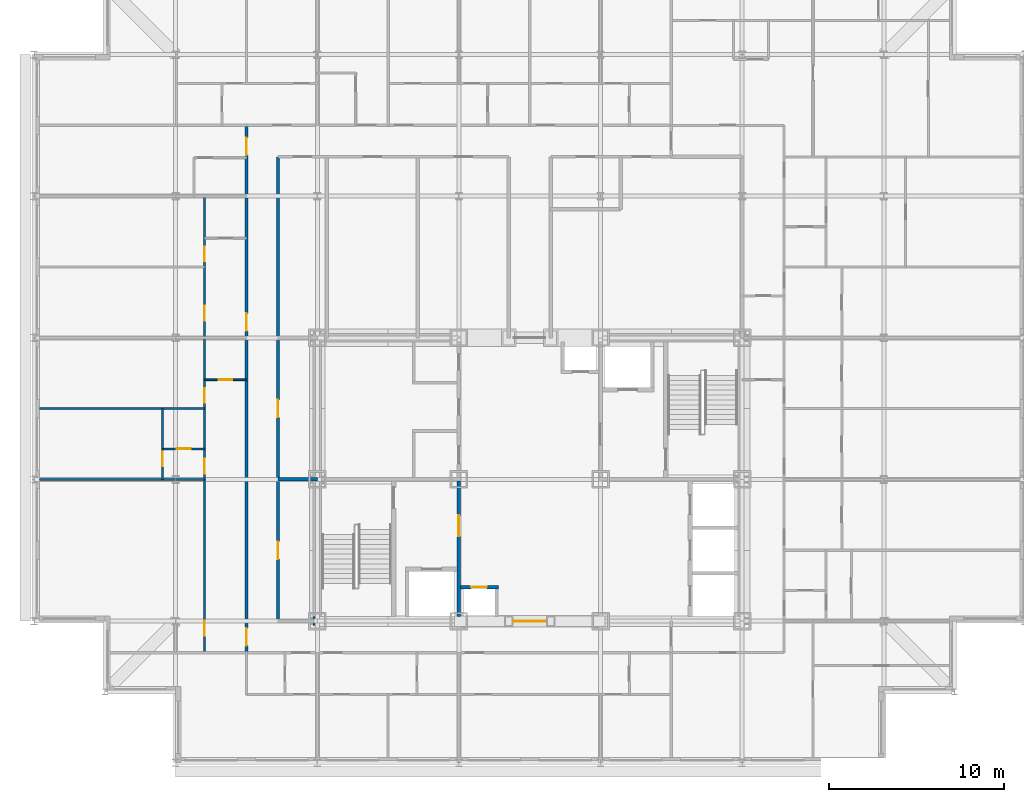
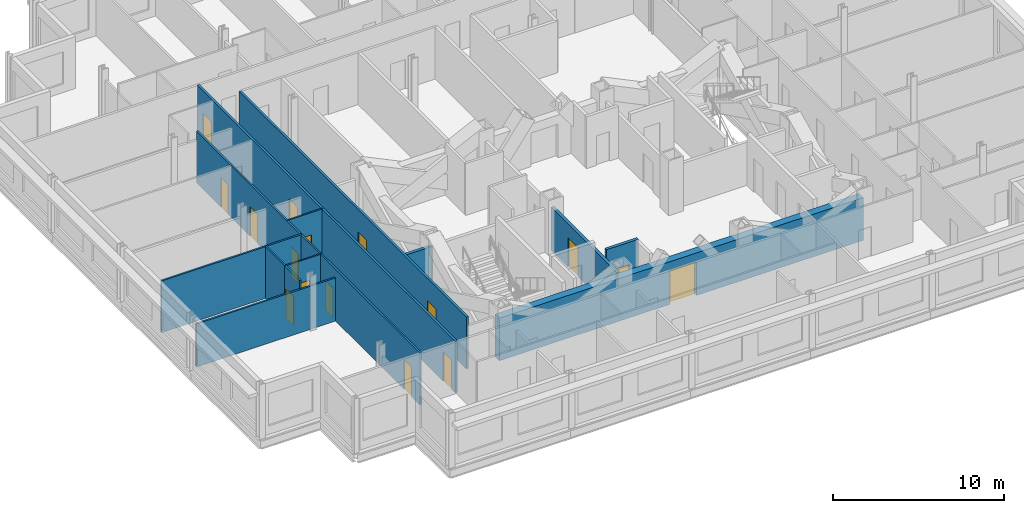
# One storey, part 8 of 15: 16 doors, 13 walls, 16 openings.
"""IFC4 building model written with IfcOpenShell, lengths in metres."""

from ifc_helpers import new_model, si_unit, direction, frame, frame_2d, origin, place, context, subcontext, project, spatial, rectangle, extrude, material, layer, layer_set, type_object, element, fill, save


model = new_model("IFC4")

# Units and contexts
model_context = context("Model", 3, precision=1e-05, world=origin(), true_north=direction((0.0, 1.0)))
body_context = subcontext(model_context, "Body", "Model", "MODEL_VIEW")
ifc_project = project(units=[si_unit("LENGTHUNIT", "METRE"), si_unit("AREAUNIT", "SQUARE_METRE"), si_unit("VOLUMEUNIT", "CUBIC_METRE"), si_unit("PLANEANGLEUNIT", "RADIAN"), si_unit("MASSUNIT", "GRAM", prefix="KILO")], contexts=[model_context])

# Site, building, storey
site_placement = place(None, origin())
site = spatial("IfcSite", under=ifc_project, at=site_placement, CompositionType="ELEMENT")
building_placement = place(site_placement, origin())
building = spatial("IfcBuilding", under=site, at=building_placement, Name="Kopane Lantern Tower", CompositionType="ELEMENT")
storey_placement = place(building_placement, frame((0.0, 0.0, 277.5)))
storey = spatial("IfcBuildingStorey", under=building, at=storey_placement, Name="L71", CompositionType="ELEMENT", Elevation=277.5)

# Wall, openings, doors
ifc_material_1 = material(Name="Gypsum board on steel studs", Category="steel")
ifc_layer_1 = layer(ifc_material_1, 0.1201171875)
ifc_layer_set_1 = layer_set([ifc_layer_1], Name="APARTMENT INTERNAL WALL 120")
wall_type_1 = type_object("IfcWallType", Name="APARTMENT INTERNAL WALL 120", PredefinedType="PARTITIONING", material=ifc_layer_set_1)
wall_1_placement = place(storey_placement, frame((9.75, 22.5, 0.0), z_axis=(0.0, 0.0, 1.0), x_axis=(0.0, 1.0, 0.0)))
wall_1 = element("IfcWall", 1, at=wall_1_placement, inside=storey, type_object=wall_type_1, Name="Apartment Internal Wall 120 L71", PredefinedType="PARTITIONING", context=body_context, shape_type="SweptSolid", body=[
    extrude(rectangle(XDim=26.10009765625, YDim=0.1201171875, at=frame_2d((13.050048828125, 0.0))), origin(), (0.0, 0.0, 1.0), 3.68994140625),
])
opening_1_placement = place(wall_1_placement, frame((0.97509765625, 0.0, 0.0)))
opening_1 = element("IfcOpeningElement", 2, at=opening_1_placement, cuts=wall_1, Name="Opening L71-028", PredefinedType="OPENING", context=body_context, shape_type="SweptSolid", body=[
    extrude(rectangle(XDim=0.85009765625, YDim=2.10009765625, at=frame_2d((0.425048828125, 1.050048828125))), frame((0.0, 0.070068359375, 0.0), z_axis=(0.0, -1.0, 0.0), x_axis=(1.0, 0.0, 0.0)), (0.0, 0.0, 1.0), 0.14013671875),
])
opening_2_placement = place(wall_1_placement, frame((10.22509765625, 0.0, 0.0)))
opening_2 = element("IfcOpeningElement", 3, at=opening_2_placement, cuts=wall_1, Name="Opening L71-030", PredefinedType="OPENING", context=body_context, shape_type="SweptSolid", body=[
    extrude(rectangle(XDim=0.85009765625, YDim=2.10009765625, at=frame_2d((0.425048828125, 1.050048828125))), frame((0.0, 0.070068359375, 0.0), z_axis=(0.0, -1.0, 0.0), x_axis=(1.0, 0.0, 0.0)), (0.0, 0.0, 1.0), 0.14013671875),
])
opening_3_placement = place(wall_1_placement, frame((14.27490234375, 0.0, 0.0)))
opening_3 = element("IfcOpeningElement", 4, at=opening_3_placement, cuts=wall_1, Name="Opening L71-031", PredefinedType="OPENING", context=body_context, shape_type="SweptSolid", body=[
    extrude(rectangle(XDim=0.85009765625, YDim=2.10009765625, at=frame_2d((0.425048828125, 1.050048828125))), frame((0.0, 0.070068359375, 0.0), z_axis=(0.0, -1.0, 0.0), x_axis=(1.0, 0.0, 0.0)), (0.0, 0.0, 1.0), 0.14013671875),
])
opening_4_placement = place(wall_1_placement, frame((18.97509765625, 0.0, 0.0)))
opening_4 = element("IfcOpeningElement", 5, at=opening_4_placement, cuts=wall_1, Name="Opening L71-034", PredefinedType="OPENING", context=body_context, shape_type="SweptSolid", body=[
    extrude(rectangle(XDim=0.85009765625, YDim=2.10009765625, at=frame_2d((0.425048828125, 1.050048828125))), frame((0.0, 0.070068359375, 0.0), z_axis=(0.0, -1.0, 0.0), x_axis=(1.0, 0.0, 0.0)), (0.0, 0.0, 1.0), 0.14013671875),
])
opening_5_placement = place(wall_1_placement, frame((22.375, 0.0, 0.0)))
opening_5 = element("IfcOpeningElement", 6, at=opening_5_placement, cuts=wall_1, Name="Opening L71-035", PredefinedType="OPENING", context=body_context, shape_type="SweptSolid", body=[
    extrude(rectangle(XDim=0.85009765625, YDim=2.10009765625, at=frame_2d((0.425048828125, 1.050048828125))), frame((0.0, 0.070068359375, 0.0), z_axis=(0.0, -1.0, 0.0), x_axis=(1.0, 0.0, 0.0)), (0.0, 0.0, 1.0), 0.14013671875),
])
ifc_material_2 = material(Name="Timber door set", Category="wood")
door_type_1 = type_object("IfcDoorType", Name="DOOR D4 850x2100", OperationType="SINGLE_SWING_LEFT", PredefinedType="DOOR", material=ifc_material_2)
door_1_placement = place(opening_1_placement, origin())
door_1 = element("IfcDoor", 7, at=door_1_placement, inside=storey, type_object=door_type_1, Name="Door L71-028", OperationType="SINGLE_SWING_RIGHT", OverallHeight=2.10009765625, OverallWidth=0.85009765625, PredefinedType="DOOR", context=body_context, shape_type="SweptSolid", body=[
    extrude(rectangle(XDim=0.85009765625, YDim=2.10009765625, at=frame_2d((0.425048828125, 1.050048828125))), frame((0.0, 0.02490234375, 0.0), z_axis=(0.0, -1.0, 0.0), x_axis=(1.0, 0.0, 0.0)), (0.0, 0.0, 1.0), 0.050048828125),
])
fill(opening_1, door_1)
door_2_placement = place(opening_2_placement, origin())
door_2 = element("IfcDoor", 8, at=door_2_placement, inside=storey, type_object=door_type_1, Name="Door L71-030", OperationType="SINGLE_SWING_LEFT", OverallHeight=2.10009765625, OverallWidth=0.85009765625, PredefinedType="DOOR", context=body_context, shape_type="SweptSolid", body=[
    extrude(rectangle(XDim=0.85009765625, YDim=2.10009765625, at=frame_2d((0.425048828125, 1.050048828125))), frame((0.0, 0.02490234375, 0.0), z_axis=(0.0, -1.0, 0.0), x_axis=(1.0, 0.0, 0.0)), (0.0, 0.0, 1.0), 0.050048828125),
])
fill(opening_2, door_2)
door_3_placement = place(opening_3_placement, origin())
door_3 = element("IfcDoor", 9, at=door_3_placement, inside=storey, type_object=door_type_1, Name="Door L71-031", OperationType="SINGLE_SWING_LEFT", OverallHeight=2.10009765625, OverallWidth=0.85009765625, PredefinedType="DOOR", context=body_context, shape_type="SweptSolid", body=[
    extrude(rectangle(XDim=0.85009765625, YDim=2.10009765625, at=frame_2d((0.425048828125, 1.050048828125))), frame((0.0, 0.02490234375, 0.0), z_axis=(0.0, -1.0, 0.0), x_axis=(1.0, 0.0, 0.0)), (0.0, 0.0, 1.0), 0.050048828125),
])
fill(opening_3, door_3)
door_4_placement = place(opening_4_placement, origin())
door_4 = element("IfcDoor", 10, at=door_4_placement, inside=storey, type_object=door_type_1, Name="Door L71-034", OperationType="SINGLE_SWING_RIGHT", OverallHeight=2.10009765625, OverallWidth=0.85009765625, PredefinedType="DOOR", context=body_context, shape_type="SweptSolid", body=[
    extrude(rectangle(XDim=0.85009765625, YDim=2.10009765625, at=frame_2d((0.425048828125, 1.050048828125))), frame((0.0, 0.02490234375, 0.0), z_axis=(0.0, -1.0, 0.0), x_axis=(1.0, 0.0, 0.0)), (0.0, 0.0, 1.0), 0.050048828125),
])
fill(opening_4, door_4)
door_5_placement = place(opening_5_placement, origin())
door_5 = element("IfcDoor", 11, at=door_5_placement, inside=storey, type_object=door_type_1, Name="Door L71-035", OperationType="SINGLE_SWING_LEFT", OverallHeight=2.10009765625, OverallWidth=0.85009765625, PredefinedType="DOOR", context=body_context, shape_type="SweptSolid", body=[
    extrude(rectangle(XDim=0.85009765625, YDim=2.10009765625, at=frame_2d((0.425048828125, 1.050048828125))), frame((0.0, 0.02490234375, 0.0), z_axis=(0.0, -1.0, 0.0), x_axis=(1.0, 0.0, 0.0)), (0.0, 0.0, 1.0), 0.050048828125),
])
fill(opening_5, door_5)

# Walls
wall_2_placement = place(storey_placement, frame((9.75, 32.39990234375, 0.0), z_axis=(0.0, 0.0, 1.0), x_axis=(-1.0, 0.0, 0.0)))
element("IfcWall", 12, at=wall_2_placement, inside=storey, type_object=wall_type_1, Name="Apartment Internal Wall 120 L71", PredefinedType="PARTITIONING", context=body_context, shape_type="SweptSolid", body=[
    extrude(rectangle(XDim=9.449951171875, YDim=0.1201171875, at=frame_2d((4.72509765625, 0.0))), origin(), (0.0, 0.0, 1.0), 3.077880859375),
])
wall_3_placement = place(storey_placement, frame((9.75, 36.449951171875, 0.0), z_axis=(0.0, 0.0, 1.0), x_axis=(-1.0, 0.0, 0.0)))
element("IfcWall", 13, at=wall_3_placement, inside=storey, type_object=wall_type_1, Name="Apartment Internal Wall 120 L71", PredefinedType="PARTITIONING", context=body_context, shape_type="SweptSolid", body=[
    extrude(rectangle(XDim=9.449951171875, YDim=0.1201171875, at=frame_2d((4.72509765625, 0.0))), origin(), (0.0, 0.0, 1.0), 3.68994140625),
])

# Wall, opening, door
wall_4_placement = place(storey_placement, frame((7.35009765625, 32.39990234375, 0.0), z_axis=(0.0, 0.0, 1.0), x_axis=(0.0, 1.0, 0.0)))
wall_4 = element("IfcWall", 14, at=wall_4_placement, inside=storey, type_object=wall_type_1, Name="Apartment Internal Wall 120 L71", PredefinedType="PARTITIONING", context=body_context, shape_type="SweptSolid", body=[
    extrude(rectangle(XDim=1.760009765625, YDim=0.1201171875, at=frame_2d((0.8798828125, 0.0))), origin(), (0.0, 0.0, 1.0), 3.68994140625),
])
opening_6_placement = place(wall_4_placement, frame((0.75, 0.0, 0.0)))
opening_6 = element("IfcOpeningElement", 15, at=opening_6_placement, cuts=wall_4, Name="Opening L71-063", PredefinedType="OPENING", context=body_context, shape_type="SweptSolid", body=[
    extrude(rectangle(XDim=0.85009765625, YDim=2.10009765625, at=frame_2d((0.425048828125, 1.050048828125))), frame((0.0, 0.070068359375, 0.0), z_axis=(0.0, -1.0, 0.0), x_axis=(1.0, 0.0, 0.0)), (0.0, 0.0, 1.0), 0.14013671875),
])
door_6_placement = place(opening_6_placement, origin())
door_6 = element("IfcDoor", 16, at=door_6_placement, inside=storey, type_object=door_type_1, Name="Door L71-063", OperationType="SINGLE_SWING_LEFT", OverallHeight=2.10009765625, OverallWidth=0.85009765625, PredefinedType="DOOR", context=body_context, shape_type="SweptSolid", body=[
    extrude(rectangle(XDim=0.85009765625, YDim=2.10009765625, at=frame_2d((0.425048828125, 1.050048828125))), frame((0.0, 0.02490234375, 0.0), z_axis=(0.0, -1.0, 0.0), x_axis=(1.0, 0.0, 0.0)), (0.0, 0.0, 1.0), 0.050048828125),
])
fill(opening_6, door_6)

ifc_material_3 = material(Name="Moisture-resistant board on steel studs", Category="steel")
ifc_layer_2 = layer(ifc_material_3, 0.10009765625)
ifc_layer_set_2 = layer_set([ifc_layer_2], Name="BATHROOM WALL 100")
wall_type_2 = type_object("IfcWallType", Name="BATHROOM WALL 100", PredefinedType="PARTITIONING", material=ifc_layer_set_2)
wall_5_placement = place(storey_placement, frame((12.14990234375, 38.10009765625, 0.0), z_axis=(0.0, 0.0, 1.0), x_axis=(-1.0, 0.0, 0.0)))
wall_5 = element("IfcWall", 17, at=wall_5_placement, inside=storey, type_object=wall_type_2, Name="Bathroom Wall 100 L71", PredefinedType="PARTITIONING", context=body_context, shape_type="SweptSolid", body=[
    extrude(rectangle(XDim=2.39990234375, YDim=0.10009765625, at=frame_2d((1.199951171875, 0.0))), origin(), (0.0, 0.0, 1.0), 3.68994140625),
])
opening_7_placement = place(wall_5_placement, frame((0.800048828125, 0.0, 0.0)))
opening_7 = element("IfcOpeningElement", 18, at=opening_7_placement, cuts=wall_5, Name="Opening L71-026", PredefinedType="OPENING", context=body_context, shape_type="SweptSolid", body=[
    extrude(rectangle(XDim=0.800048828125, YDim=2.10009765625, at=frame_2d((0.39990234375, 1.050048828125))), frame((0.0, 0.06005859375, 0.0), z_axis=(0.0, -1.0, 0.0), x_axis=(1.0, 0.0, 0.0)), (0.0, 0.0, 1.0), 0.1201171875),
])
ifc_material_4 = material(Name="Timber door set", Category="wood")
door_type_2 = type_object("IfcDoorType", Name="DOOR D2 800x2100", OperationType="SINGLE_SWING_LEFT", PredefinedType="DOOR", material=ifc_material_4)
door_7_placement = place(opening_7_placement, origin())
door_7 = element("IfcDoor", 19, at=door_7_placement, inside=storey, type_object=door_type_2, Name="Door L71-026", OperationType="SINGLE_SWING_RIGHT", OverallHeight=2.10009765625, OverallWidth=0.800048828125, PredefinedType="DOOR", context=body_context, shape_type="SweptSolid", body=[
    extrude(rectangle(XDim=0.800048828125, YDim=2.10009765625, at=frame_2d((0.39990234375, 1.050048828125))), frame((0.0, 0.02490234375, 0.0), z_axis=(0.0, -1.0, 0.0), x_axis=(1.0, 0.0, 0.0)), (0.0, 0.0, 1.0), 0.050048828125),
])
fill(opening_7, door_7)

wall_6_placement = place(storey_placement, frame((9.75, 34.14990234375, 0.0), z_axis=(0.0, 0.0, 1.0), x_axis=(-1.0, 0.0, 0.0)))
wall_6 = element("IfcWall", 20, at=wall_6_placement, inside=storey, type_object=wall_type_2, Name="Bathroom Wall 100 L71", PredefinedType="PARTITIONING", context=body_context, shape_type="SweptSolid", body=[
    extrude(rectangle(XDim=2.39990234375, YDim=0.10009765625, at=frame_2d((1.199951171875, 0.0))), origin(), (0.0, 0.0, 1.0), 3.68994140625),
])
opening_8_placement = place(wall_6_placement, frame((0.800048828125, 0.0, 0.0)))
opening_8 = element("IfcOpeningElement", 21, at=opening_8_placement, cuts=wall_6, Name="Opening L71-029", PredefinedType="OPENING", context=body_context, shape_type="SweptSolid", body=[
    extrude(rectangle(XDim=0.800048828125, YDim=2.10009765625, at=frame_2d((0.39990234375, 1.050048828125))), frame((0.0, 0.06005859375, 0.0), z_axis=(0.0, -1.0, 0.0), x_axis=(1.0, 0.0, 0.0)), (0.0, 0.0, 1.0), 0.1201171875),
])
door_8_placement = place(opening_8_placement, origin())
door_8 = element("IfcDoor", 22, at=door_8_placement, inside=storey, type_object=door_type_2, Name="Door L71-029", OperationType="SINGLE_SWING_RIGHT", OverallHeight=2.10009765625, OverallWidth=0.800048828125, PredefinedType="DOOR", context=body_context, shape_type="SweptSolid", body=[
    extrude(rectangle(XDim=0.800048828125, YDim=2.10009765625, at=frame_2d((0.39990234375, 1.050048828125))), frame((0.0, 0.02490234375, 0.0), z_axis=(0.0, -1.0, 0.0), x_axis=(1.0, 0.0, 0.0)), (0.0, 0.0, 1.0), 0.050048828125),
])
fill(opening_8, door_8)

# Wall
wall_7_placement = place(storey_placement, frame((7.35009765625, 34.14990234375, 0.0), z_axis=(0.0, 0.0, 1.0), x_axis=(0.0, 1.0, 0.0)))
element("IfcWall", 23, at=wall_7_placement, inside=storey, type_object=wall_type_2, Name="Bathroom Wall 100 L71", PredefinedType="PARTITIONING", context=body_context, shape_type="SweptSolid", body=[
    extrude(rectangle(XDim=2.300048828125, YDim=0.10009765625, at=frame_2d((1.14990234375, 0.0))), origin(), (0.0, 0.0, 1.0), 3.68994140625),
])

# Wall, opening, door
ifc_material_5 = material(Name="Gypsum shaft wall EI 120", Category="gypsum")
ifc_layer_3 = layer(ifc_material_5, 0.5)
ifc_layer_set_3 = layer_set([ifc_layer_3], Name="CORE PERIMETER WALL 500 EI 120")
wall_type_3 = type_object("IfcWallType", Name="CORE PERIMETER WALL 500 EI 120", PredefinedType="SOLIDWALL", material=ifc_layer_set_3)
wall_8_placement = place(storey_placement, frame((15.949951171875, 24.300048828125, 0.0), z_axis=(0.0, 0.0, 1.0), x_axis=(1.0, 0.0, 0.0)))
wall_8 = element("IfcWall", 24, at=wall_8_placement, inside=storey, type_object=wall_type_3, Name="Core shaft wall L71 PS", PredefinedType="SOLIDWALL", context=body_context, shape_type="SweptSolid", body=[
    extrude(rectangle(XDim=24.550048828125, YDim=0.5, at=frame_2d((12.27490234375, 0.0))), origin(), (0.0, 0.0, 1.0), 3.0400390625),
])
opening_9_placement = place(wall_8_placement, frame((11.5, 0.0, 0.0)))
opening_9 = element("IfcOpeningElement", 25, at=opening_9_placement, cuts=wall_8, Name="Opening 71.CE-S", PredefinedType="OPENING", context=body_context, shape_type="SweptSolid", body=[
    extrude(rectangle(XDim=1.800048828125, YDim=2.39990234375, at=frame_2d((0.89990234375, 1.199951171875))), frame((0.0, 0.260009765625, 0.0), z_axis=(0.0, -1.0, 0.0), x_axis=(1.0, 0.0, 0.0)), (0.0, 0.0, 1.0), 0.52001953125),
])
ifc_material_6 = material(Name="Steel door set", Category="steel")
door_type_3 = type_object("IfcDoorType", Name="CORE ENTRY DOOR 1800x2400 FD60S", OperationType="DOUBLE_DOOR_SINGLE_SWING", PredefinedType="DOOR", material=ifc_material_6)
door_9_placement = place(opening_9_placement, origin())
door_9 = element("IfcDoor", 26, at=door_9_placement, inside=storey, type_object=door_type_3, Name="Core entry door L71 south", OperationType="DOUBLE_DOOR_SINGLE_SWING", OverallHeight=2.39990234375, OverallWidth=1.800048828125, PredefinedType="DOOR", context=body_context, shape_type="SweptSolid", body=[
    extrude(rectangle(XDim=1.800048828125, YDim=2.39990234375, at=frame_2d((0.89990234375, 1.199951171875))), frame((0.0, 0.02490234375, 0.0), z_axis=(0.0, -1.0, 0.0), x_axis=(1.0, 0.0, 0.0)), (0.0, 0.0, 1.0), 0.050048828125),
])
fill(opening_9, door_9)

# Wall, openings, doors
ifc_material_7 = material(Name="Gypsum board on steel studs", Category="steel")
ifc_layer_4 = layer(ifc_material_7, 0.14990234375)
ifc_layer_set_4 = layer_set([ifc_layer_4], Name="CORRIDOR WALL 150 EI 60")
wall_type_4 = type_object("IfcWallType", Name="CORRIDOR WALL 150 EI 60", PredefinedType="PARTITIONING", material=ifc_layer_set_4)
wall_9_placement = place(storey_placement, frame((12.14990234375, 22.5, 0.0), z_axis=(0.0, 0.0, 1.0), x_axis=(0.0, 1.0, 0.0)))
wall_9 = element("IfcWall", 27, at=wall_9_placement, inside=storey, type_object=wall_type_4, Name="Corridor Wall 150 Ei 60 L71", PredefinedType="PARTITIONING", context=body_context, shape_type="SweptSolid", body=[
    extrude(rectangle(XDim=30.14990234375, YDim=0.14990234375, at=frame_2d((15.074951171875, 0.0))), origin(), (0.0, 0.0, 1.0), 3.68994140625),
])
opening_10_placement = place(wall_9_placement, frame((0.39990234375, 0.0, 0.0)))
opening_10 = element("IfcOpeningElement", 28, at=opening_10_placement, cuts=wall_9, Name="Opening L71-027", PredefinedType="OPENING", context=body_context, shape_type="SweptSolid", body=[
    extrude(rectangle(XDim=1.0, YDim=2.10009765625, at=frame_2d((0.5, 1.050048828125))), frame((0.0, 0.0849609375, 0.0), z_axis=(0.0, -1.0, 0.0), x_axis=(1.0, 0.0, 0.0)), (0.0, 0.0, 1.0), 0.169921875),
])
opening_11_placement = place(wall_9_placement, frame((18.39990234375, 0.0, 0.0)))
opening_11 = element("IfcOpeningElement", 29, at=opening_11_placement, cuts=wall_9, Name="Opening L71-033", PredefinedType="OPENING", context=body_context, shape_type="SweptSolid", body=[
    extrude(rectangle(XDim=1.0, YDim=2.10009765625, at=frame_2d((0.5, 1.050048828125))), frame((0.0, 0.0849609375, 0.0), z_axis=(0.0, -1.0, 0.0), x_axis=(1.0, 0.0, 0.0)), (0.0, 0.0, 1.0), 0.169921875),
])
opening_12_placement = place(wall_9_placement, frame((28.449951171875, 0.0, 0.0)))
opening_12 = element("IfcOpeningElement", 30, at=opening_12_placement, cuts=wall_9, Name="Opening L71-037", PredefinedType="OPENING", context=body_context, shape_type="SweptSolid", body=[
    extrude(rectangle(XDim=1.0, YDim=2.10009765625, at=frame_2d((0.5, 1.050048828125))), frame((0.0, 0.0849609375, 0.0), z_axis=(0.0, -1.0, 0.0), x_axis=(1.0, 0.0, 0.0)), (0.0, 0.0, 1.0), 0.169921875),
])
ifc_material_8 = material(Name="Steel door set", Category="steel")
door_type_4 = type_object("IfcDoorType", Name="DOOR D3 1000x2100 FD30S", OperationType="SINGLE_SWING_LEFT", PredefinedType="DOOR", material=ifc_material_8)
door_10_placement = place(opening_10_placement, origin())
door_10 = element("IfcDoor", 31, at=door_10_placement, inside=storey, type_object=door_type_4, Name="Door L71-027", OperationType="SINGLE_SWING_LEFT", OverallHeight=2.10009765625, OverallWidth=1.0, PredefinedType="DOOR", context=body_context, shape_type="SweptSolid", body=[
    extrude(rectangle(XDim=1.0, YDim=2.10009765625, at=frame_2d((0.5, 1.050048828125))), frame((0.0, 0.02490234375, 0.0), z_axis=(0.0, -1.0, 0.0), x_axis=(1.0, 0.0, 0.0)), (0.0, 0.0, 1.0), 0.050048828125),
])
fill(opening_10, door_10)
door_11_placement = place(opening_11_placement, origin())
door_11 = element("IfcDoor", 32, at=door_11_placement, inside=storey, type_object=door_type_4, Name="Door L71-033", OperationType="SINGLE_SWING_LEFT", OverallHeight=2.10009765625, OverallWidth=1.0, PredefinedType="DOOR", context=body_context, shape_type="SweptSolid", body=[
    extrude(rectangle(XDim=1.0, YDim=2.10009765625, at=frame_2d((0.5, 1.050048828125))), frame((0.0, 0.02490234375, 0.0), z_axis=(0.0, -1.0, 0.0), x_axis=(1.0, 0.0, 0.0)), (0.0, 0.0, 1.0), 0.050048828125),
])
fill(opening_11, door_11)
door_12_placement = place(opening_12_placement, origin())
door_12 = element("IfcDoor", 33, at=door_12_placement, inside=storey, type_object=door_type_4, Name="Door L71-037", OperationType="SINGLE_SWING_LEFT", OverallHeight=2.10009765625, OverallWidth=1.0, PredefinedType="DOOR", context=body_context, shape_type="SweptSolid", body=[
    extrude(rectangle(XDim=1.0, YDim=2.10009765625, at=frame_2d((0.5, 1.050048828125))), frame((0.0, 0.02490234375, 0.0), z_axis=(0.0, -1.0, 0.0), x_axis=(1.0, 0.0, 0.0)), (0.0, 0.0, 1.0), 0.050048828125),
])
fill(opening_12, door_12)

wall_10_placement = place(storey_placement, frame((13.949951171875, 24.300048828125, 0.0), z_axis=(0.0, 0.0, 1.0), x_axis=(0.0, 1.0, 0.0)))
wall_10 = element("IfcWall", 34, at=wall_10_placement, inside=storey, type_object=wall_type_4, Name="Corridor Wall 150 Ei 60 L71", PredefinedType="PARTITIONING", context=body_context, shape_type="SweptSolid", body=[
    extrude(rectangle(XDim=26.550048828125, YDim=0.14990234375, at=frame_2d((13.27490234375, 0.0))), origin(), (0.0, 0.0, 1.0), 3.68994140625),
])
opening_13_placement = place(wall_10_placement, frame((3.550048828125, 0.0, 0.0)))
opening_13 = element("IfcOpeningElement", 35, at=opening_13_placement, cuts=wall_10, Name="Opening L71-001", PredefinedType="OPENING", context=body_context, shape_type="SweptSolid", body=[
    extrude(rectangle(XDim=1.0, YDim=2.10009765625, at=frame_2d((0.5, 1.050048828125))), frame((0.0, 0.0849609375, 0.0), z_axis=(0.0, -1.0, 0.0), x_axis=(1.0, 0.0, 0.0)), (0.0, 0.0, 1.0), 0.169921875),
])
opening_14_placement = place(wall_10_placement, frame((11.64990234375, 0.0, 0.0)))
opening_14 = element("IfcOpeningElement", 36, at=opening_14_placement, cuts=wall_10, Name="Opening L71-002", PredefinedType="OPENING", context=body_context, shape_type="SweptSolid", body=[
    extrude(rectangle(XDim=1.0, YDim=2.10009765625, at=frame_2d((0.5, 1.050048828125))), frame((0.0, 0.0849609375, 0.0), z_axis=(0.0, -1.0, 0.0), x_axis=(1.0, 0.0, 0.0)), (0.0, 0.0, 1.0), 0.169921875),
])
ifc_material_9 = material(Name="Steel door set", Category="steel")
door_type_5 = type_object("IfcDoorType", Name="DOOR D5 1000x2100 FD60", OperationType="SINGLE_SWING_LEFT", PredefinedType="DOOR", material=ifc_material_9)
door_13_placement = place(opening_13_placement, origin())
door_13 = element("IfcDoor", 37, at=door_13_placement, inside=storey, type_object=door_type_5, Name="Door L71-001", OperationType="SINGLE_SWING_RIGHT", OverallHeight=2.10009765625, OverallWidth=1.0, PredefinedType="DOOR", context=body_context, shape_type="SweptSolid", body=[
    extrude(rectangle(XDim=1.0, YDim=2.10009765625, at=frame_2d((0.5, 1.050048828125))), frame((0.0, 0.02490234375, 0.0), z_axis=(0.0, -1.0, 0.0), x_axis=(1.0, 0.0, 0.0)), (0.0, 0.0, 1.0), 0.050048828125),
])
fill(opening_13, door_13)
door_14_placement = place(opening_14_placement, origin())
door_14 = element("IfcDoor", 38, at=door_14_placement, inside=storey, type_object=door_type_5, Name="Door L71-002", OperationType="SINGLE_SWING_LEFT", OverallHeight=2.10009765625, OverallWidth=1.0, PredefinedType="DOOR", context=body_context, shape_type="SweptSolid", body=[
    extrude(rectangle(XDim=1.0, YDim=2.10009765625, at=frame_2d((0.5, 1.050048828125))), frame((0.0, 0.02490234375, 0.0), z_axis=(0.0, -1.0, 0.0), x_axis=(1.0, 0.0, 0.0)), (0.0, 0.0, 1.0), 0.050048828125),
])
fill(opening_14, door_14)

# Wall
ifc_material_10 = material(Name="Concrete masonry", Category="masonry")
ifc_layer_5 = layer(ifc_material_10, 0.199951171875)
ifc_layer_set_5 = layer_set([ifc_layer_5], Name="PLANT ROOM WALL 200 EI 120")
wall_type_5 = type_object("IfcWallType", Name="PLANT ROOM WALL 200 EI 120", PredefinedType="SOLIDWALL", material=ifc_layer_set_5)
wall_11_placement = place(storey_placement, frame((13.949951171875, 32.39990234375, 0.0), z_axis=(0.0, 0.0, 1.0), x_axis=(1.0, 0.0, 0.0)))
element("IfcWall", 39, at=wall_11_placement, inside=storey, type_object=wall_type_5, Name="Plant Room Wall 200 Ei 120 L71", PredefinedType="SOLIDWALL", context=body_context, shape_type="SweptSolid", body=[
    extrude(rectangle(XDim=2.25, YDim=0.199951171875, at=frame_2d((1.125, 0.0))), origin(), (0.0, 0.0, 1.0), 3.077880859375),
])

# Wall, opening, door
ifc_material_11 = material(Name="Gypsum shaft wall EI 120", Category="gypsum")
ifc_layer_6 = layer(ifc_material_11, 0.199951171875)
ifc_layer_set_6 = layer_set([ifc_layer_6], Name="SHAFT WALL 200 EI 120")
wall_type_6 = type_object("IfcWallType", Name="SHAFT WALL 200 EI 120", PredefinedType="SOLIDWALL", material=ifc_layer_set_6)
wall_12_placement = place(storey_placement, frame((24.300048828125, 24.550048828125, 0.0), z_axis=(0.0, 0.0, 1.0), x_axis=(0.0, 1.0, 0.0)))
wall_12 = element("IfcWall", 40, at=wall_12_placement, inside=storey, type_object=wall_type_6, Name="Core shaft wall L71 X243", PredefinedType="SOLIDWALL", context=body_context, shape_type="SweptSolid", body=[
    extrude(rectangle(XDim=7.75, YDim=0.199951171875, at=frame_2d((3.875, 0.0))), origin(), (0.0, 0.0, 1.0), 3.077880859375),
])
opening_15_placement = place(wall_12_placement, frame((4.60009765625, 0.0, 0.0)))
opening_15 = element("IfcOpeningElement", 41, at=opening_15_placement, cuts=wall_12, Name="Opening 71.FL1", PredefinedType="OPENING", context=body_context, shape_type="SweptSolid", body=[
    extrude(rectangle(XDim=1.199951171875, YDim=2.10009765625, at=frame_2d((0.60009765625, 1.050048828125))), frame((0.0, 0.10986328125, 0.0), z_axis=(0.0, -1.0, 0.0), x_axis=(1.0, 0.0, 0.0)), (0.0, 0.0, 1.0), 0.219970703125),
])
ifc_material_12 = material(Name="Steel door set", Category="steel")
door_type_6 = type_object("IfcDoorType", Name="FIREFIGHTING LOBBY DOOR 1200x2100 FD60S", OperationType="SINGLE_SWING_RIGHT", PredefinedType="DOOR", material=ifc_material_12)
door_15_placement = place(opening_15_placement, origin())
door_15 = element("IfcDoor", 42, at=door_15_placement, inside=storey, type_object=door_type_6, Name="Firefighting lobby door FL1 L71", OperationType="SINGLE_SWING_LEFT", OverallHeight=2.10009765625, OverallWidth=1.199951171875, PredefinedType="DOOR", context=body_context, shape_type="SweptSolid", body=[
    extrude(rectangle(XDim=1.199951171875, YDim=2.10009765625, at=frame_2d((0.60009765625, 1.050048828125))), frame((0.0, 0.02490234375, 0.0), z_axis=(0.0, -1.0, 0.0), x_axis=(1.0, 0.0, 0.0)), (0.0, 0.0, 1.0), 0.050048828125),
])
fill(opening_15, door_15)

wall_13_placement = place(storey_placement, frame((24.39990234375, 26.25, 0.0), z_axis=(0.0, 0.0, 1.0), x_axis=(1.0, 0.0, 0.0)))
wall_13 = element("IfcWall", 43, at=wall_13_placement, inside=storey, type_object=wall_type_6, Name="Core shaft wall L71 YRS1", PredefinedType="SOLIDWALL", context=body_context, shape_type="SweptSolid", body=[
    extrude(rectangle(XDim=2.150146484375, YDim=0.199951171875, at=frame_2d((1.0751953125, 0.0))), origin(), (0.0, 0.0, 1.0), 3.68994140625),
])
opening_16_placement = place(wall_13_placement, frame((0.60009765625, 0.0, 0.0)))
opening_16 = element("IfcOpeningElement", 44, at=opening_16_placement, cuts=wall_13, Name="Opening 71.RS1", PredefinedType="OPENING", context=body_context, shape_type="SweptSolid", body=[
    extrude(rectangle(XDim=0.89990234375, YDim=2.10009765625, at=frame_2d((0.449951171875, 1.050048828125))), frame((0.0, 0.10986328125, 0.0), z_axis=(0.0, -1.0, 0.0), x_axis=(1.0, 0.0, 0.0)), (0.0, 0.0, 1.0), 0.219970703125),
])
ifc_material_13 = material(Name="Steel door set", Category="steel")
door_type_7 = type_object("IfcDoorType", Name="RISER ACCESS DOOR 900x2100 FD60", OperationType="SINGLE_SWING_LEFT", PredefinedType="DOOR", material=ifc_material_13)
door_16_placement = place(opening_16_placement, origin())
door_16 = element("IfcDoor", 45, at=door_16_placement, inside=storey, type_object=door_type_7, Name="Riser access door RS1 L71", OperationType="SINGLE_SWING_LEFT", OverallHeight=2.10009765625, OverallWidth=0.89990234375, PredefinedType="DOOR", context=body_context, shape_type="SweptSolid", body=[
    extrude(rectangle(XDim=0.89990234375, YDim=2.10009765625, at=frame_2d((0.449951171875, 1.050048828125))), frame((0.0, 0.02490234375, 0.0), z_axis=(0.0, -1.0, 0.0), x_axis=(1.0, 0.0, 0.0)), (0.0, 0.0, 1.0), 0.050048828125),
])
fill(opening_16, door_16)

save(model, "model.ifc")
